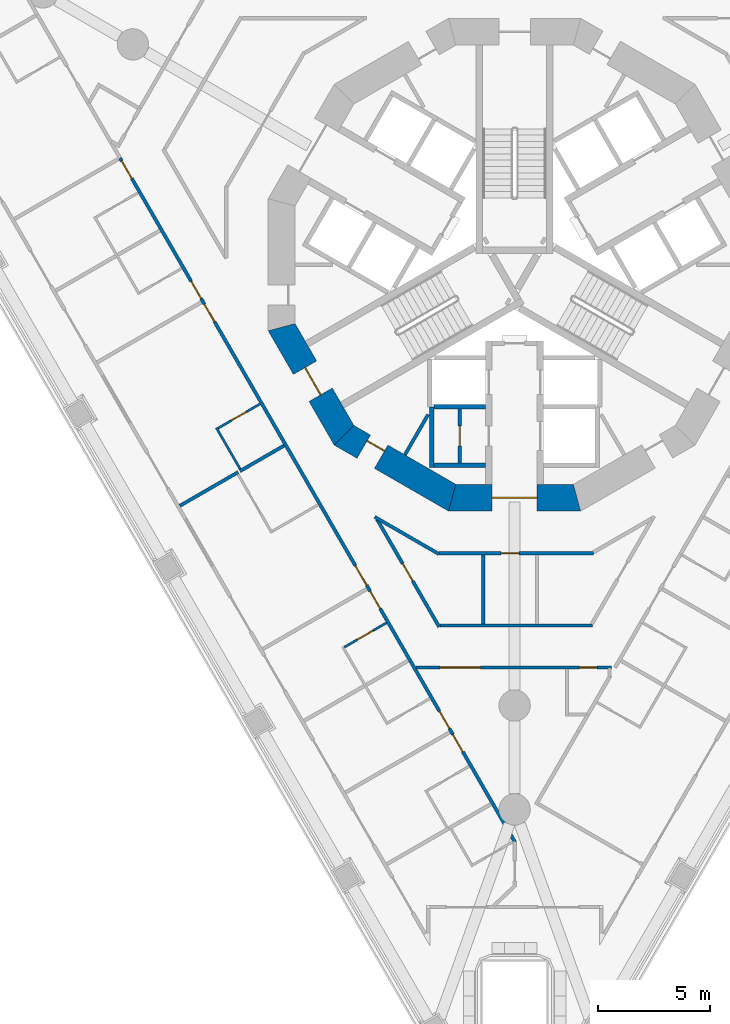
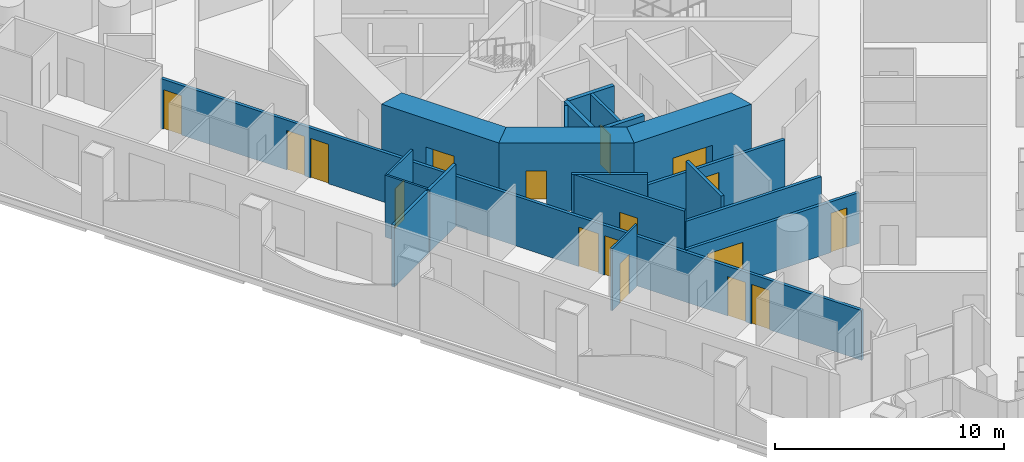
# One storey, part 3 of 20: 20 walls, 17 doors, 17 openings.
"""IFC4 building model written with IfcOpenShell, lengths in metres."""

from ifc_helpers import new_model, si_unit, direction, frame, frame_2d, origin, place, context, subcontext, project, spatial, polyline, rectangle, outline, extrude, material, layer, layer_set, type_object, element, fill, save


model = new_model("IFC4")

# Units and contexts
model_context = context("Model", 3, precision=1e-05, world=origin(), true_north=direction((0.0, 1.0)))
body_context = subcontext(model_context, "Body", "Model", "MODEL_VIEW")
ifc_project = project(units=[si_unit("LENGTHUNIT", "METRE"), si_unit("AREAUNIT", "SQUARE_METRE"), si_unit("VOLUMEUNIT", "CUBIC_METRE"), si_unit("PLANEANGLEUNIT", "RADIAN"), si_unit("MASSUNIT", "GRAM", prefix="KILO")], contexts=[model_context])

# Site, building, storey
site_placement = place(None, origin())
site = spatial("IfcSite", under=ifc_project, at=site_placement, CompositionType="ELEMENT")
building_placement = place(site_placement, origin())
building = spatial("IfcBuilding", under=site, at=building_placement, Name="Trine Commons Tower", CompositionType="ELEMENT")
storey_placement = place(building_placement, frame((0.0, 0.0, 35.10009765625)))
storey = spatial("IfcBuildingStorey", under=building, at=storey_placement, Name="L07", CompositionType="ELEMENT", Elevation=35.10009765625)

# Wall
ifc_material_1 = material(Name="Plasterboard partition on steel studs", Category="steel")
ifc_layer_1 = layer(ifc_material_1, 0.14990234375)
ifc_layer_set_1 = layer_set([ifc_layer_1], Name="Plasterboard partition on steel studs")
wall_type_1 = type_object("IfcWallType", Name="Core room partition 150 mm, EI 60", PredefinedType="PARTITIONING", material=ifc_layer_set_1)
wall_1_placement = place(storey_placement, frame((75.094970703125, 54.0029296875, 0.0), z_axis=(0.0, 0.0, 1.0), x_axis=(0.5000780968, 0.865980309881, 0.0)))
element("IfcWall", 1, at=wall_1_placement, inside=storey, type_object=wall_type_1, Name="Core room partition L07", PredefinedType="PARTITIONING", context=body_context, shape_type="SweptSolid", body=[
    extrude(rectangle(XDim=2.079833984375, YDim=0.14990234375, at=frame_2d((1.0400390625, 0.0))), origin(), (0.0, 0.0, 1.0), 3.2998046875),
])

# Wall, opening, door
wall_2_placement = place(storey_placement, frame((77.550048828125, 56.050048828125, 0.0), z_axis=(0.0, 0.0, 1.0), x_axis=(0.0, -1.0, 0.0)))
wall_2 = element("IfcWall", 2, at=wall_2_placement, inside=storey, type_object=wall_type_1, Name="Core room partition L07", PredefinedType="PARTITIONING", context=body_context, shape_type="SweptSolid", body=[
    extrude(rectangle(XDim=2.400146484375, YDim=0.14990234375, at=frame_2d((1.2001953125, 0.0))), origin(), (0.0, 0.0, 1.0), 3.2998046875),
])
opening_1_placement = place(wall_2_placement, frame((0.75, 0.0, 0.0)))
opening_1 = element("IfcOpeningElement", 3, at=opening_1_placement, cuts=wall_2, Name="Opening K06.11", PredefinedType="OPENING", context=body_context, shape_type="SweptSolid", body=[
    extrude(rectangle(XDim=0.89990234375, YDim=2.10009765625, at=frame_2d((0.449951171875, 1.050048828125))), frame((0.0, 0.0849609375, 0.0), z_axis=(0.0, -1.0, 0.0), x_axis=(1.0, 0.0, 0.0)), (0.0, 0.0, 1.0), 0.169921875),
])
ifc_material_2 = material(Name="Steel door leaf, fire-rated", Category="steel")
door_type_1 = type_object("IfcDoorType", Name="Core room door, single leaf 900 x 2100, FD30S", OperationType="SINGLE_SWING_LEFT", PredefinedType="DOOR", material=ifc_material_2)
door_1_placement = place(opening_1_placement, frame((0.89990234375, 0.0, 0.0), z_axis=(0.0, 0.0, 1.0), x_axis=(-1.0, 0.0, 0.0)))
door_1 = element("IfcDoor", 4, at=door_1_placement, inside=storey, type_object=door_type_1, Name="Door to Comms room L07", OperationType="SINGLE_SWING_LEFT", OverallHeight=2.10009765625, OverallWidth=0.89990234375, PredefinedType="DOOR", context=body_context, shape_type="SweptSolid", body=[
    extrude(rectangle(XDim=0.89990234375, YDim=2.10009765625, at=frame_2d((0.449951171875, 1.050048828125))), frame((0.0, 0.02490234375, 0.0), z_axis=(0.0, -1.0, 0.0), x_axis=(1.0, 0.0, 0.0)), (0.0, 0.0, 1.0), 0.050048828125),
])
fill(opening_1, door_1)

ifc_material_3 = material(Name="Concrete C80/95", Category="concrete")
ifc_layer_2 = layer(ifc_material_3, 1.199951171875)
ifc_layer_set_2 = layer_set([ifc_layer_2], Name="Concrete C80/95")
wall_type_2 = type_object("IfcWallType", Name="RC shear wall 1200 mm, C80/95", PredefinedType="SHEAR", material=ifc_layer_set_2)
wall_3_placement = place(storey_placement, frame((69.508056640625, 59.849609375, 0.0), z_axis=(0.0, 0.0, 1.0), x_axis=(0.499979111662, -0.866037463336, 0.0)))
wall_3 = element("IfcWall", 5, at=wall_3_placement, inside=storey, type_object=wall_type_2, Name="Core wall CWA-08 L07", PredefinedType="SHEAR", context=body_context, shape_type="SweptSolid", body=[
    extrude(outline(polyline([(0.0, -0.60009765625), (5.901123046875, -0.60009765625), (5.57958984375, 0.60009765625), (0.321533203125, 0.60009765625), (0.0, -0.60009765625)])), origin(), (0.0, 0.0, 1.0), 3.599853515625),
])
opening_2_placement = place(wall_3_placement, frame((2.25048828125, 0.0, 0.0)))
opening_2 = element("IfcOpeningElement", 6, at=opening_2_placement, cuts=wall_3, Name="Opening K06.02", PredefinedType="OPENING", context=body_context, shape_type="SweptSolid", body=[
    extrude(rectangle(XDim=1.39990234375, YDim=2.10009765625, at=frame_2d((0.699951171875, 1.050048828125))), frame((0.0, 0.60986328125, 0.0), z_axis=(0.0, -1.0, 0.0), x_axis=(1.0, 0.0, 0.0)), (0.0, 0.0, 1.0), 1.219970703125),
])
ifc_material_4 = material(Name="Steel door leaves, fire-rated", Category="steel")
door_type_2 = type_object("IfcDoorType", Name="Stair door, double leaf 1400 x 2100, FD90", OperationType="DOUBLE_DOOR_SINGLE_SWING", PredefinedType="DOOR", material=ifc_material_4)
door_2_placement = place(opening_2_placement, origin())
door_2 = element("IfcDoor", 7, at=door_2_placement, inside=storey, type_object=door_type_2, Name="Stair door to Exit stair ST2A L07", OperationType="DOUBLE_DOOR_SINGLE_SWING", OverallHeight=2.10009765625, OverallWidth=1.39990234375, PredefinedType="DOOR", context=body_context, shape_type="SweptSolid", body=[
    extrude(rectangle(XDim=1.39990234375, YDim=2.10009765625, at=frame_2d((0.699951171875, 1.050048828125))), frame((0.0, 0.02490234375, 0.0), z_axis=(0.0, -1.0, 0.0), x_axis=(1.0, 0.0, 0.0)), (0.0, 0.0, 1.0), 0.050048828125),
])
fill(opening_2, door_2)

wall_4_placement = place(storey_placement, frame((72.239013671875, 54.95849609375, 0.0), z_axis=(0.0, 0.0, 1.0), x_axis=(0.866037463336, -0.499979111662, 0.0)))
wall_4 = element("IfcWall", 8, at=wall_4_placement, inside=storey, type_object=wall_type_2, Name="Core wall CWA-09 L07", PredefinedType="SHEAR", context=body_context, shape_type="SweptSolid", body=[
    extrude(outline(polyline([(0.0, -0.60009765625), (5.901123046875, -0.60009765625), (5.57958984375, 0.60009765625), (0.321533203125, 0.60009765625), (0.0, -0.60009765625)])), origin(), (0.0, 0.0, 1.0), 3.599853515625),
])
opening_3_placement = place(wall_4_placement, frame((1.176513671875, 0.0, 0.0)))
opening_3 = element("IfcOpeningElement", 9, at=opening_3_placement, cuts=wall_4, Name="Opening K06.15", PredefinedType="OPENING", context=body_context, shape_type="SweptSolid", body=[
    extrude(rectangle(XDim=0.89990234375, YDim=2.10009765625, at=frame_2d((0.449951171875, 1.050048828125))), frame((0.0, 0.60986328125, 0.0), z_axis=(0.0, -1.0, 0.0), x_axis=(1.0, 0.0, 0.0)), (0.0, 0.0, 1.0), 1.219970703125),
])
door_3_placement = place(opening_3_placement, origin())
door_3 = element("IfcDoor", 10, at=door_3_placement, inside=storey, type_object=door_type_1, Name="Door to Print room L07", OperationType="SINGLE_SWING_LEFT", OverallHeight=2.10009765625, OverallWidth=0.89990234375, PredefinedType="DOOR", context=body_context, shape_type="SweptSolid", body=[
    extrude(rectangle(XDim=0.89990234375, YDim=2.10009765625, at=frame_2d((0.449951171875, 1.050048828125))), frame((0.0, 0.3251953125, 0.0), z_axis=(0.0, -1.0, 0.0), x_axis=(1.0, 0.0, 0.0)), (0.0, 0.0, 1.0), 0.050048828125),
])
fill(opening_3, door_3)

wall_5_placement = place(storey_placement, frame((77.049560546875, 52.08837890625, 0.0), z_axis=(0.0, 0.0, 1.0), x_axis=(1.0, 0.0, 0.0)))
wall_5 = element("IfcWall", 11, at=wall_5_placement, inside=storey, type_object=wall_type_2, Name="Core wall CWA-10 L07", PredefinedType="SHEAR", context=body_context, shape_type="SweptSolid", body=[
    extrude(outline(polyline([(0.0, -0.60009765625), (5.90087890625, -0.60009765625), (5.57958984375, 0.60009765625), (0.321533203125, 0.60009765625), (0.0, -0.60009765625)])), origin(), (0.0, 0.0, 1.0), 3.599853515625),
])
opening_4_placement = place(wall_5_placement, frame((1.950439453125, 0.0, 0.0)))
opening_4 = element("IfcOpeningElement", 12, at=opening_4_placement, cuts=wall_5, Name="Opening K06.08", PredefinedType="OPENING", context=body_context, shape_type="SweptSolid", body=[
    extrude(rectangle(XDim=2.0, YDim=2.10009765625, at=frame_2d((1.0, 1.050048828125))), frame((0.0, 0.60986328125, 0.0), z_axis=(0.0, -1.0, 0.0), x_axis=(1.0, 0.0, 0.0)), (0.0, 0.0, 1.0), 1.219970703125),
])
door_type_3 = type_object("IfcDoorType", Name="Lobby door, double leaf 2000 x 2100, FD60", OperationType="DOUBLE_DOOR_SINGLE_SWING", PredefinedType="DOOR", material=ifc_material_4)
door_4_placement = place(opening_4_placement, origin())
door_4 = element("IfcDoor", 13, at=door_4_placement, inside=storey, type_object=door_type_3, Name="Lobby door, Service and firefighting lobby L07", OperationType="DOUBLE_DOOR_SINGLE_SWING", OverallHeight=2.10009765625, OverallWidth=2.0, PredefinedType="DOOR", context=body_context, shape_type="SweptSolid", body=[
    extrude(rectangle(XDim=2.0, YDim=2.10009765625, at=frame_2d((1.0, 1.050048828125))), frame((0.0, 0.02490234375, 0.0), z_axis=(0.0, -1.0, 0.0), x_axis=(1.0, 0.0, 0.0)), (0.0, 0.0, 1.0), 0.050048828125),
])
fill(opening_4, door_4)

# Walls
ifc_material_5 = material(Name="Fire-rated gypsum shaft wall system")
ifc_layer_3 = layer(ifc_material_5, 0.199951171875)
ifc_layer_set_3 = layer_set([ifc_layer_3], Name="Fire-rated gypsum shaft wall system")
wall_type_3 = type_object("IfcWallType", Name="Shaft wall 200 mm, EI 120", PredefinedType="PARTITIONING", material=ifc_layer_set_3)
wall_6_placement = place(storey_placement, frame((76.300048828125, 56.14990234375, 0.0), z_axis=(0.0, 0.0, 1.0), x_axis=(0.0, -1.0, 0.0)))
element("IfcWall", 14, at=wall_6_placement, inside=storey, type_object=wall_type_3, Name="Shaft wall L07", PredefinedType="PARTITIONING", context=body_context, shape_type="SweptSolid", body=[
    extrude(rectangle(XDim=2.699951171875, YDim=0.199951171875, at=frame_2d((1.35009765625, 0.0))), origin(), (0.0, 0.0, 1.0), 3.2998046875),
])
for number, where, z_axis, x_axis, name in (
    (15, (78.699951171875, 53.550048828125, 0.0), (0.0, 0.0, 1.0), (-1.0, 0.0, 0.0), "Shaft wall L07"),
    (16, (78.699951171875, 56.14990234375, 0.0), (0.0, 0.0, 1.0), (-1.0, 0.0, 0.0), "Shaft wall L07"),
):
    element("IfcWall", number, at=place(storey_placement, frame(where, z_axis=z_axis, x_axis=x_axis)), inside=storey, type_object=wall_type_3, Name=name, PredefinedType="PARTITIONING", context=body_context, shape_type="SweptSolid", body=[
        extrude(rectangle(XDim=2.300048828125, YDim=0.199951171875, at=frame_2d((1.14990234375, 0.0))), origin(), (0.0, 0.0, 1.0), 3.2998046875),
    ])

# Wall, openings, doors
ifc_material_6 = material(Name="Gypsum plasterboard on steel stud", Category="steel")
ifc_layer_4 = layer(ifc_material_6, 0.14990234375)
ifc_layer_set_4 = layer_set([ifc_layer_4], Name="Gypsum plasterboard on steel stud")
wall_type_4 = type_object("IfcWallType", Name="Unit and corridor wall 150 mm, EI 60", PredefinedType="PARTITIONING", material=ifc_layer_set_4)
wall_7_placement = place(storey_placement, frame((62.364990234375, 67.27099609375, 0.0), z_axis=(0.0, 0.0, 1.0), x_axis=(0.500005848871, -0.866022026911, 0.0)))
wall_7 = element("IfcWall", 17, at=wall_7_placement, inside=storey, type_object=wall_type_4, Name="Partition 025", PredefinedType="PARTITIONING", context=body_context, shape_type="SweptSolid", body=[
    extrude(rectangle(XDim=35.29736328125, YDim=0.14990234375, at=frame_2d((17.648681640625, 0.0))), origin(), (0.0, 0.0, 1.0), 2.64990234375),
])
opening_5_placement = place(wall_7_placement, frame((29.744384765625, 0.0, 0.0)))
opening_5 = element("IfcOpeningElement", 18, at=opening_5_placement, cuts=wall_7, Name="Opening D-1A25", PredefinedType="OPENING", context=body_context, shape_type="SweptSolid", body=[
    extrude(rectangle(XDim=0.89990234375, YDim=2.10009765625, at=frame_2d((0.449951171875, 1.050048828125))), frame((0.0, 0.0849609375, 0.0), z_axis=(0.0, -1.0, 0.0), x_axis=(1.0, 0.0, 0.0)), (0.0, 0.0, 1.0), 0.169921875),
])
opening_6_placement = place(wall_7_placement, frame((28.544189453125, 0.0, 0.0)))
opening_6 = element("IfcOpeningElement", 19, at=opening_6_placement, cuts=wall_7, Name="Opening D-1A26", PredefinedType="OPENING", context=body_context, shape_type="SweptSolid", body=[
    extrude(rectangle(XDim=0.89990234375, YDim=2.10009765625, at=frame_2d((0.449951171875, 1.050048828125))), frame((0.0, 0.0849609375, 0.0), z_axis=(0.0, -1.0, 0.0), x_axis=(1.0, 0.0, 0.0)), (0.0, 0.0, 1.0), 0.169921875),
])
opening_7_placement = place(wall_7_placement, frame((22.34716796875, 0.0, 0.0)))
opening_7 = element("IfcOpeningElement", 20, at=opening_7_placement, cuts=wall_7, Name="Opening D-1A27", PredefinedType="OPENING", context=body_context, shape_type="SweptSolid", body=[
    extrude(rectangle(XDim=0.89990234375, YDim=2.10009765625, at=frame_2d((0.449951171875, 1.050048828125))), frame((0.0, 0.0849609375, 0.0), z_axis=(0.0, -1.0, 0.0), x_axis=(1.0, 0.0, 0.0)), (0.0, 0.0, 1.0), 0.169921875),
])
opening_8_placement = place(wall_7_placement, frame((21.047119140625, 0.0, 0.0)))
opening_8 = element("IfcOpeningElement", 21, at=opening_8_placement, cuts=wall_7, Name="Opening D-1A28", PredefinedType="OPENING", context=body_context, shape_type="SweptSolid", body=[
    extrude(rectangle(XDim=1.0, YDim=2.10009765625, at=frame_2d((0.5, 1.050048828125))), frame((0.0, 0.0849609375, 0.0), z_axis=(0.0, -1.0, 0.0), x_axis=(1.0, 0.0, 0.0)), (0.0, 0.0, 1.0), 0.169921875),
])
opening_9_placement = place(wall_7_placement, frame((7.55078125, 0.0, 0.0)))
opening_9 = element("IfcOpeningElement", 22, at=opening_9_placement, cuts=wall_7, Name="Opening D-1A29", PredefinedType="OPENING", context=body_context, shape_type="SweptSolid", body=[
    extrude(rectangle(XDim=0.89990234375, YDim=2.10009765625, at=frame_2d((0.449951171875, 1.050048828125))), frame((0.0, 0.0849609375, 0.0), z_axis=(0.0, -1.0, 0.0), x_axis=(1.0, 0.0, 0.0)), (0.0, 0.0, 1.0), 0.169921875),
])
opening_10_placement = place(wall_7_placement, frame((6.350830078125, 0.0, 0.0)))
opening_10 = element("IfcOpeningElement", 23, at=opening_10_placement, cuts=wall_7, Name="Opening D-1A30", PredefinedType="OPENING", context=body_context, shape_type="SweptSolid", body=[
    extrude(rectangle(XDim=0.89990234375, YDim=2.10009765625, at=frame_2d((0.449951171875, 1.050048828125))), frame((0.0, 0.0849609375, 0.0), z_axis=(0.0, -1.0, 0.0), x_axis=(1.0, 0.0, 0.0)), (0.0, 0.0, 1.0), 0.169921875),
])
opening_11_placement = place(wall_7_placement, frame((0.153564453125, 0.0, 0.0)))
opening_11 = element("IfcOpeningElement", 24, at=opening_11_placement, cuts=wall_7, Name="Opening D-1A31", PredefinedType="OPENING", context=body_context, shape_type="SweptSolid", body=[
    extrude(rectangle(XDim=0.89990234375, YDim=2.10009765625, at=frame_2d((0.449951171875, 1.050048828125))), frame((0.0, 0.0849609375, 0.0), z_axis=(0.0, -1.0, 0.0), x_axis=(1.0, 0.0, 0.0)), (0.0, 0.0, 1.0), 0.169921875),
])
ifc_material_7 = material(Name="Timber fire door set", Category="wood")
door_type_4 = type_object("IfcDoorType", Name="Bedroom door 1000 x 2100, FD30S", OperationType="NOTDEFINED", PredefinedType="DOOR", material=ifc_material_7)
door_5_placement = place(opening_8_placement, frame((1.0, 0.0, 0.0), z_axis=(0.0, 0.0, 1.0), x_axis=(-1.0, 0.0, 0.0)))
door_5 = element("IfcDoor", 25, at=door_5_placement, inside=storey, type_object=door_type_4, Name="Door D-1A28", OperationType="SINGLE_SWING_LEFT", OverallHeight=2.10009765625, OverallWidth=1.0, PredefinedType="DOOR", context=body_context, shape_type="SweptSolid", body=[
    extrude(rectangle(XDim=1.0, YDim=2.10009765625, at=frame_2d((0.5, 1.050048828125))), frame((0.0, 0.02490234375, 0.0), z_axis=(0.0, -1.0, 0.0), x_axis=(1.0, 0.0, 0.0)), (0.0, 0.0, 1.0), 0.050048828125),
])
fill(opening_8, door_5)
door_type_5 = type_object("IfcDoorType", Name="Bedroom door 900 x 2100, FD30S", OperationType="NOTDEFINED", PredefinedType="DOOR", material=ifc_material_7)
door_6_placement = place(opening_5_placement, frame((0.89990234375, 0.0, 0.0), z_axis=(0.0, 0.0, 1.0), x_axis=(-1.0, 0.0, 0.0)))
door_6 = element("IfcDoor", 26, at=door_6_placement, inside=storey, type_object=door_type_5, Name="Door D-1A25", OperationType="SINGLE_SWING_LEFT", OverallHeight=2.10009765625, OverallWidth=0.89990234375, PredefinedType="DOOR", context=body_context, shape_type="SweptSolid", body=[
    extrude(rectangle(XDim=0.89990234375, YDim=2.10009765625, at=frame_2d((0.449951171875, 1.050048828125))), frame((0.0, 0.02490234375, 0.0), z_axis=(0.0, -1.0, 0.0), x_axis=(1.0, 0.0, 0.0)), (0.0, 0.0, 1.0), 0.050048828125),
])
fill(opening_5, door_6)
door_7_placement = place(opening_6_placement, frame((0.89990234375, 0.0, 0.0), z_axis=(0.0, 0.0, 1.0), x_axis=(-1.0, 0.0, 0.0)))
door_7 = element("IfcDoor", 27, at=door_7_placement, inside=storey, type_object=door_type_5, Name="Door D-1A26", OperationType="SINGLE_SWING_LEFT", OverallHeight=2.10009765625, OverallWidth=0.89990234375, PredefinedType="DOOR", context=body_context, shape_type="SweptSolid", body=[
    extrude(rectangle(XDim=0.89990234375, YDim=2.10009765625, at=frame_2d((0.449951171875, 1.050048828125))), frame((0.0, 0.02490234375, 0.0), z_axis=(0.0, -1.0, 0.0), x_axis=(1.0, 0.0, 0.0)), (0.0, 0.0, 1.0), 0.050048828125),
])
fill(opening_6, door_7)
door_8_placement = place(opening_7_placement, frame((0.89990234375, 0.0, 0.0), z_axis=(0.0, 0.0, 1.0), x_axis=(-1.0, 0.0, 0.0)))
door_8 = element("IfcDoor", 28, at=door_8_placement, inside=storey, type_object=door_type_5, Name="Door D-1A27", OperationType="SINGLE_SWING_LEFT", OverallHeight=2.10009765625, OverallWidth=0.89990234375, PredefinedType="DOOR", context=body_context, shape_type="SweptSolid", body=[
    extrude(rectangle(XDim=0.89990234375, YDim=2.10009765625, at=frame_2d((0.449951171875, 1.050048828125))), frame((0.0, 0.02490234375, 0.0), z_axis=(0.0, -1.0, 0.0), x_axis=(1.0, 0.0, 0.0)), (0.0, 0.0, 1.0), 0.050048828125),
])
fill(opening_7, door_8)
door_9_placement = place(opening_9_placement, frame((0.89990234375, 0.0, 0.0), z_axis=(0.0, 0.0, 1.0), x_axis=(-1.0, 0.0, 0.0)))
door_9 = element("IfcDoor", 29, at=door_9_placement, inside=storey, type_object=door_type_5, Name="Door D-1A29", OperationType="SINGLE_SWING_RIGHT", OverallHeight=2.10009765625, OverallWidth=0.89990234375, PredefinedType="DOOR", context=body_context, shape_type="SweptSolid", body=[
    extrude(rectangle(XDim=0.89990234375, YDim=2.10009765625, at=frame_2d((0.449951171875, 1.050048828125))), frame((0.0, 0.02490234375, 0.0), z_axis=(0.0, -1.0, 0.0), x_axis=(1.0, 0.0, 0.0)), (0.0, 0.0, 1.0), 0.050048828125),
])
fill(opening_9, door_9)
door_10_placement = place(opening_10_placement, frame((0.89990234375, 0.0, 0.0), z_axis=(0.0, 0.0, 1.0), x_axis=(-1.0, 0.0, 0.0)))
door_10 = element("IfcDoor", 30, at=door_10_placement, inside=storey, type_object=door_type_5, Name="Door D-1A30", OperationType="SINGLE_SWING_RIGHT", OverallHeight=2.10009765625, OverallWidth=0.89990234375, PredefinedType="DOOR", context=body_context, shape_type="SweptSolid", body=[
    extrude(rectangle(XDim=0.89990234375, YDim=2.10009765625, at=frame_2d((0.449951171875, 1.050048828125))), frame((0.0, 0.02490234375, 0.0), z_axis=(0.0, -1.0, 0.0), x_axis=(1.0, 0.0, 0.0)), (0.0, 0.0, 1.0), 0.050048828125),
])
fill(opening_10, door_10)
door_11_placement = place(opening_11_placement, frame((0.89990234375, 0.0, 0.0), z_axis=(0.0, 0.0, 1.0), x_axis=(-1.0, 0.0, 0.0)))
door_11 = element("IfcDoor", 31, at=door_11_placement, inside=storey, type_object=door_type_5, Name="Door D-1A31", OperationType="SINGLE_SWING_RIGHT", OverallHeight=2.10009765625, OverallWidth=0.89990234375, PredefinedType="DOOR", context=body_context, shape_type="SweptSolid", body=[
    extrude(rectangle(XDim=0.89990234375, YDim=2.10009765625, at=frame_2d((0.449951171875, 1.050048828125))), frame((0.0, 0.02490234375, 0.0), z_axis=(0.0, -1.0, 0.0), x_axis=(1.0, 0.0, 0.0)), (0.0, 0.0, 1.0), 0.050048828125),
])
fill(opening_11, door_11)

# Walls
wall_8_placement = place(storey_placement, frame((65.03759765625, 51.72607421875, 0.0), z_axis=(0.0, 0.0, 1.0), x_axis=(0.866097759389, 0.49987465547, 0.0)))
element("IfcWall", 32, at=wall_8_placement, inside=storey, type_object=wall_type_4, Name="Partition 031", PredefinedType="PARTITIONING", context=body_context, shape_type="SweptSolid", body=[
    extrude(rectangle(XDim=3.008544921875, YDim=0.14990234375, at=frame_2d((1.50439453125, 0.0))), origin(), (0.0, 0.0, 1.0), 3.2998046875),
])
wall_9_placement = place(storey_placement, frame((67.726806640625, 53.278076171875, 0.0), z_axis=(0.0, 0.0, 1.0), x_axis=(0.866012516728, 0.500022320372, 0.0)))
element("IfcWall", 33, at=wall_9_placement, inside=storey, type_object=wall_type_4, Name="Partition 042", PredefinedType="PARTITIONING", context=body_context, shape_type="SweptSolid", body=[
    extrude(rectangle(XDim=2.27880859375, YDim=0.14990234375, at=frame_2d((1.139404296875, 0.0))), origin(), (0.0, 0.0, 1.0), 3.2998046875),
])
wall_10_placement = place(storey_placement, frame((73.74609375, 51.23046875, 0.0), z_axis=(0.0, 0.0, 1.0), x_axis=(0.865959508231, -0.500114117081, 0.0)))
element("IfcWall", 34, at=wall_10_placement, inside=storey, type_object=wall_type_4, Name="Partition 051", PredefinedType="PARTITIONING", context=body_context, shape_type="SweptSolid", body=[
    extrude(rectangle(XDim=3.309326171875, YDim=0.14990234375, at=frame_2d((1.65478515625, 0.0))), origin(), (0.0, 0.0, 1.0), 3.2998046875),
])

# Wall, opening, door
wall_11_placement = place(storey_placement, frame((73.8515625, 51.1259765625, 0.0), z_axis=(0.0, 0.0, 1.0), x_axis=(0.500036793739, -0.866004159867, 0.0)))
wall_11 = element("IfcWall", 35, at=wall_11_placement, inside=storey, type_object=wall_type_4, Name="Partition 052", PredefinedType="PARTITIONING", context=body_context, shape_type="SweptSolid", body=[
    extrude(rectangle(XDim=5.5576171875, YDim=0.14990234375, at=frame_2d((2.77880859375, 0.0))), origin(), (0.0, 0.0, 1.0), 3.2998046875),
])
opening_12_placement = place(wall_11_placement, frame((2.29150390625, 0.0, 0.0)))
opening_12 = element("IfcOpeningElement", 36, at=opening_12_placement, cuts=wall_11, Name="Opening D-1A38", PredefinedType="OPENING", context=body_context, shape_type="SweptSolid", body=[
    extrude(rectangle(XDim=0.89990234375, YDim=2.10009765625, at=frame_2d((0.449951171875, 1.050048828125))), frame((0.0, 0.0849609375, 0.0), z_axis=(0.0, -1.0, 0.0), x_axis=(1.0, 0.0, 0.0)), (0.0, 0.0, 1.0), 0.169921875),
])
door_type_6 = type_object("IfcDoorType", Name="Service door 900 x 2100, FD30S", OperationType="NOTDEFINED", PredefinedType="DOOR", material=ifc_material_7)
door_12_placement = place(opening_12_placement, origin())
door_12 = element("IfcDoor", 37, at=door_12_placement, inside=storey, type_object=door_type_6, Name="Door D-1A38", OperationType="SINGLE_SWING_LEFT", OverallHeight=2.10009765625, OverallWidth=0.89990234375, PredefinedType="DOOR", context=body_context, shape_type="SweptSolid", body=[
    extrude(rectangle(XDim=0.89990234375, YDim=2.10009765625, at=frame_2d((0.449951171875, 1.050048828125))), frame((0.0, 0.02490234375, 0.0), z_axis=(0.0, -1.0, 0.0), x_axis=(1.0, 0.0, 0.0)), (0.0, 0.0, 1.0), 0.050048828125),
])
fill(opening_12, door_12)

# Wall, openings, doors
wall_12_placement = place(storey_placement, frame((75.5859375, 44.5029296875, 0.0), z_axis=(0.0, 0.0, 1.0), x_axis=(1.0, 0.0, 0.0)))
wall_12 = element("IfcWall", 38, at=wall_12_placement, inside=storey, type_object=wall_type_4, Name="Partition 056", PredefinedType="PARTITIONING", context=body_context, shape_type="SweptSolid", body=[
    extrude(rectangle(XDim=8.733154296875, YDim=0.14990234375, at=frame_2d((4.36669921875, 0.0))), origin(), (0.0, 0.0, 1.0), 2.699951171875),
])
opening_13_placement = place(wall_12_placement, frame((1.080810546875, 0.0, 0.0)))
opening_13 = element("IfcOpeningElement", 39, at=opening_13_placement, cuts=wall_12, Name="Opening D-1A02", PredefinedType="OPENING", context=body_context, shape_type="SweptSolid", body=[
    extrude(rectangle(XDim=1.800048828125, YDim=2.10009765625, at=frame_2d((0.89990234375, 1.050048828125))), frame((0.0, 0.0849609375, 0.0), z_axis=(0.0, -1.0, 0.0), x_axis=(1.0, 0.0, 0.0)), (0.0, 0.0, 1.0), 0.169921875),
])
opening_14_placement = place(wall_12_placement, frame((7.303955078125, 0.0, 0.0)))
opening_14 = element("IfcOpeningElement", 40, at=opening_14_placement, cuts=wall_12, Name="Opening D-1A05", PredefinedType="OPENING", context=body_context, shape_type="SweptSolid", body=[
    extrude(rectangle(XDim=0.800048828125, YDim=2.10009765625, at=frame_2d((0.39990234375, 1.050048828125))), frame((0.0, 0.0849609375, 0.0), z_axis=(0.0, -1.0, 0.0), x_axis=(1.0, 0.0, 0.0)), (0.0, 0.0, 1.0), 0.169921875),
])
door_type_7 = type_object("IfcDoorType", Name="Cluster entrance door 1800 x 2100, double leaf, FD30S", OperationType="DOUBLE_DOOR_DOUBLE_SWING", PredefinedType="DOOR", material=ifc_material_7)
door_13_placement = place(opening_13_placement, frame((1.800048828125, 0.0, 0.0), z_axis=(0.0, 0.0, 1.0), x_axis=(-1.0, 0.0, 0.0)))
door_13 = element("IfcDoor", 41, at=door_13_placement, inside=storey, type_object=door_type_7, Name="Door D-1A02", OperationType="DOUBLE_DOOR_DOUBLE_SWING", OverallHeight=2.10009765625, OverallWidth=1.800048828125, PredefinedType="DOOR", context=body_context, shape_type="SweptSolid", body=[
    extrude(rectangle(XDim=1.800048828125, YDim=2.10009765625, at=frame_2d((0.89990234375, 1.050048828125))), frame((0.0, 0.02490234375, 0.0), z_axis=(0.0, -1.0, 0.0), x_axis=(1.0, 0.0, 0.0)), (0.0, 0.0, 1.0), 0.050048828125),
])
fill(opening_13, door_13)
ifc_material_8 = material(Name="Painted timber", Category="wood")
door_type_8 = type_object("IfcDoorType", Name="Toilet door 800 x 2100, NOT RATED", OperationType="NOTDEFINED", PredefinedType="DOOR", material=ifc_material_8)
door_14_placement = place(opening_14_placement, frame((0.800048828125, 0.0, 0.0), z_axis=(0.0, 0.0, 1.0), x_axis=(-1.0, 0.0, 0.0)))
door_14 = element("IfcDoor", 42, at=door_14_placement, inside=storey, type_object=door_type_8, Name="Door D-1A05", OperationType="SINGLE_SWING_LEFT", OverallHeight=2.10009765625, OverallWidth=0.800048828125, PredefinedType="DOOR", context=body_context, shape_type="SweptSolid", body=[
    extrude(rectangle(XDim=0.800048828125, YDim=2.10009765625, at=frame_2d((0.39990234375, 1.050048828125))), frame((0.0, 0.02490234375, 0.0), z_axis=(0.0, -1.0, 0.0), x_axis=(1.0, 0.0, 0.0)), (0.0, 0.0, 1.0), 0.050048828125),
])
fill(opening_14, door_14)

# Wall, opening, door
wall_13_placement = place(storey_placement, frame((76.6220703125, 49.613037109375, 0.0), z_axis=(0.0, 0.0, 1.0), x_axis=(1.0, 0.0, 0.0)))
wall_13 = element("IfcWall", 43, at=wall_13_placement, inside=storey, type_object=wall_type_4, Name="Partition 059", PredefinedType="PARTITIONING", context=body_context, shape_type="SweptSolid", body=[
    extrude(rectangle(XDim=6.906005859375, YDim=0.14990234375, at=frame_2d((3.453125, 0.0))), origin(), (0.0, 0.0, 1.0), 2.699951171875),
])
opening_15_placement = place(wall_13_placement, frame((2.778076171875, 0.0, 0.0)))
opening_15 = element("IfcOpeningElement", 44, at=opening_15_placement, cuts=wall_13, Name="Opening D-1A39", PredefinedType="OPENING", context=body_context, shape_type="SweptSolid", body=[
    extrude(rectangle(XDim=0.800048828125, YDim=2.10009765625, at=frame_2d((0.39990234375, 1.050048828125))), frame((0.0, 0.0849609375, 0.0), z_axis=(0.0, -1.0, 0.0), x_axis=(1.0, 0.0, 0.0)), (0.0, 0.0, 1.0), 0.169921875),
])
door_15_placement = place(opening_15_placement, frame((0.800048828125, 0.0, 0.0), z_axis=(0.0, 0.0, 1.0), x_axis=(-1.0, 0.0, 0.0)))
door_15 = element("IfcDoor", 45, at=door_15_placement, inside=storey, type_object=door_type_8, Name="Door D-1A39", OperationType="SINGLE_SWING_RIGHT", OverallHeight=2.10009765625, OverallWidth=0.800048828125, PredefinedType="DOOR", context=body_context, shape_type="SweptSolid", body=[
    extrude(rectangle(XDim=0.800048828125, YDim=2.10009765625, at=frame_2d((0.39990234375, 1.050048828125))), frame((0.0, 0.02490234375, 0.0), z_axis=(0.0, -1.0, 0.0), x_axis=(1.0, 0.0, 0.0)), (0.0, 0.0, 1.0), 0.050048828125),
])
fill(opening_15, door_15)

# Walls
wall_14_placement = place(storey_placement, frame((76.66796875, 46.3779296875, 0.0), z_axis=(0.0, 0.0, 1.0), x_axis=(1.0, 0.0, 0.0)))
element("IfcWall", 46, at=wall_14_placement, inside=storey, type_object=wall_type_4, Name="Partition 060", PredefinedType="PARTITIONING", context=body_context, shape_type="SweptSolid", body=[
    extrude(rectangle(XDim=6.81396484375, YDim=0.14990234375, at=frame_2d((3.406982421875, 0.0))), origin(), (0.0, 0.0, 1.0), 2.699951171875),
])
wall_15_placement = place(storey_placement, frame((78.60009765625, 46.452880859375, 0.0), z_axis=(0.0, 0.0, 1.0), x_axis=(0.0, 1.0, 0.0)))
element("IfcWall", 47, at=wall_15_placement, inside=storey, type_object=wall_type_4, Name="Partition 065", PredefinedType="PARTITIONING", context=body_context, shape_type="SweptSolid", body=[
    extrude(rectangle(XDim=3.085205078125, YDim=0.14990234375, at=frame_2d((1.54248046875, 0.0))), origin(), (0.0, 0.0, 1.0), 3.2998046875),
])
ifc_layer_5 = layer(ifc_material_6, 0.10009765625)
ifc_layer_set_5 = layer_set([ifc_layer_5], Name="Gypsum plasterboard on steel stud")
wall_type_5 = type_object("IfcWallType", Name="Unit partition 100 mm, no rating", PredefinedType="PARTITIONING", material=ifc_layer_set_5)
wall_16_placement = place(storey_placement, frame((66.673095703125, 55.210205078125, 0.0), z_axis=(0.0, 0.0, 1.0), x_axis=(0.500044036531, -0.865999977788, 0.0)))
element("IfcWall", 48, at=wall_16_placement, inside=storey, type_object=wall_type_5, Name="Partition 035", PredefinedType="PARTITIONING", context=body_context, shape_type="SweptSolid", body=[
    extrude(rectangle(XDim=2.124755859375, YDim=0.10009765625, at=frame_2d((1.0625, 0.0))), origin(), (0.0, 0.0, 1.0), 3.2998046875),
])

# Wall, opening, door
wall_17_placement = place(storey_placement, frame((66.7412109375, 55.19189453125, 0.0), z_axis=(0.0, 0.0, 1.0), x_axis=(0.866017369001, 0.500013916395, 0.0)))
wall_17 = element("IfcWall", 49, at=wall_17_placement, inside=storey, type_object=wall_type_5, Name="Partition 036", PredefinedType="PARTITIONING", context=body_context, shape_type="SweptSolid", body=[
    extrude(rectangle(XDim=2.17529296875, YDim=0.10009765625, at=frame_2d((1.087646484375, 0.0))), origin(), (0.0, 0.0, 1.0), 3.2998046875),
])
opening_16_placement = place(wall_17_placement, frame((0.6875, 0.0, 0.0)))
opening_16 = element("IfcOpeningElement", 50, at=opening_16_placement, cuts=wall_17, Name="Opening D-1A61", PredefinedType="OPENING", context=body_context, shape_type="SweptSolid", body=[
    extrude(rectangle(XDim=0.800048828125, YDim=2.10009765625, at=frame_2d((0.39990234375, 1.050048828125))), frame((0.0, 0.06005859375, 0.0), z_axis=(0.0, -1.0, 0.0), x_axis=(1.0, 0.0, 0.0)), (0.0, 0.0, 1.0), 0.1201171875),
])
door_type_9 = type_object("IfcDoorType", Name="Internal door 800 x 2100, NOT RATED", OperationType="NOTDEFINED", PredefinedType="DOOR", material=ifc_material_8)
door_16_placement = place(opening_16_placement, origin())
door_16 = element("IfcDoor", 51, at=door_16_placement, inside=storey, type_object=door_type_9, Name="Door D-1A61", OperationType="SINGLE_SWING_RIGHT", OverallHeight=2.10009765625, OverallWidth=0.800048828125, PredefinedType="DOOR", context=body_context, shape_type="SweptSolid", body=[
    extrude(rectangle(XDim=0.800048828125, YDim=2.10009765625, at=frame_2d((0.39990234375, 1.050048828125))), frame((0.0, 0.02490234375, 0.0), z_axis=(0.0, -1.0, 0.0), x_axis=(1.0, 0.0, 0.0)), (0.0, 0.0, 1.0), 0.050048828125),
])
fill(opening_16, door_16)

wall_18_placement = place(storey_placement, frame((72.389404296875, 45.408935546875, 0.0), z_axis=(0.0, 0.0, 1.0), x_axis=(0.865989304205, 0.500062521093, 0.0)))
wall_18 = element("IfcWall", 52, at=wall_18_placement, inside=storey, type_object=wall_type_5, Name="Partition 049", PredefinedType="PARTITIONING", context=body_context, shape_type="SweptSolid", body=[
    extrude(rectangle(XDim=2.175048828125, YDim=0.10009765625, at=frame_2d((1.08740234375, 0.0))), origin(), (0.0, 0.0, 1.0), 3.2998046875),
])
opening_17_placement = place(wall_18_placement, frame((0.6875, 0.0, 0.0)))
opening_17 = element("IfcOpeningElement", 53, at=opening_17_placement, cuts=wall_18, Name="Opening D-1A59", PredefinedType="OPENING", context=body_context, shape_type="SweptSolid", body=[
    extrude(rectangle(XDim=0.800048828125, YDim=2.10009765625, at=frame_2d((0.39990234375, 1.050048828125))), frame((0.0, 0.06005859375, 0.0), z_axis=(0.0, -1.0, 0.0), x_axis=(1.0, 0.0, 0.0)), (0.0, 0.0, 1.0), 0.1201171875),
])
door_17_placement = place(opening_17_placement, origin())
door_17 = element("IfcDoor", 54, at=door_17_placement, inside=storey, type_object=door_type_9, Name="Door D-1A59", OperationType="SINGLE_SWING_RIGHT", OverallHeight=2.10009765625, OverallWidth=0.800048828125, PredefinedType="DOOR", context=body_context, shape_type="SweptSolid", body=[
    extrude(rectangle(XDim=0.800048828125, YDim=2.10009765625, at=frame_2d((0.39990234375, 1.050048828125))), frame((0.0, 0.02490234375, 0.0), z_axis=(0.0, -1.0, 0.0), x_axis=(1.0, 0.0, 0.0)), (0.0, 0.0, 1.0), 0.050048828125),
])
fill(opening_17, door_17)

save(model, "model.ifc")
